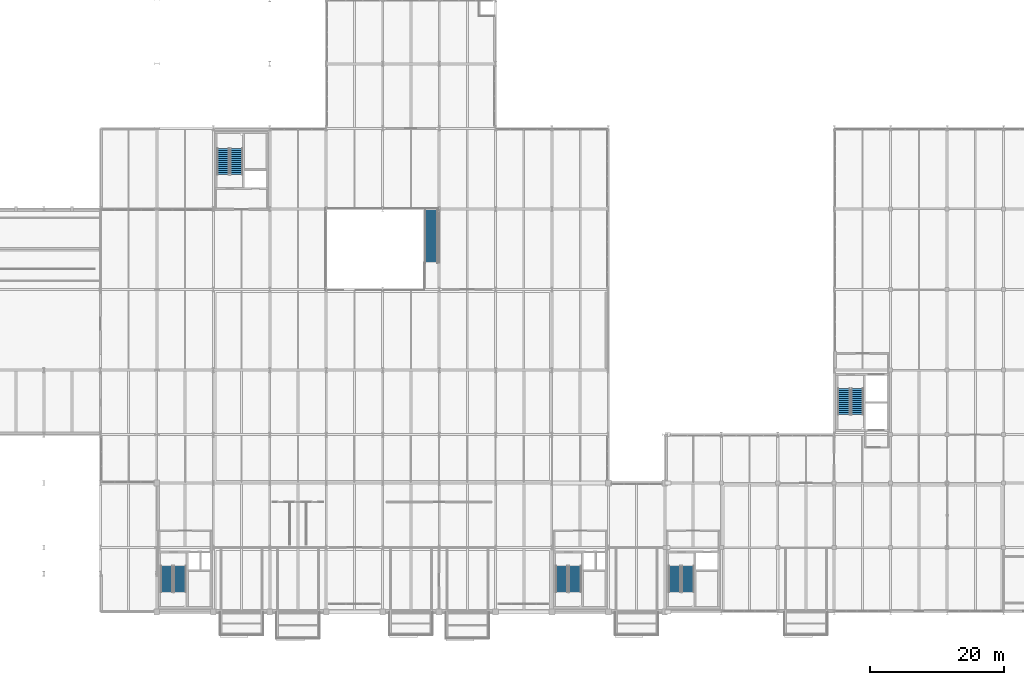
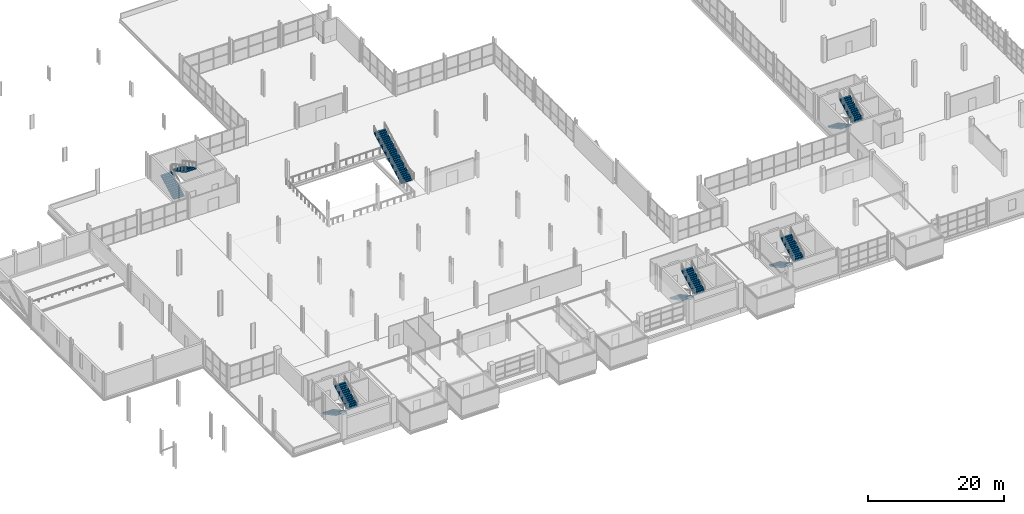
# One storey, part 104 of 113: 11 stair flights, 6 elements without a shape of their own.
"""IFC4 building model written with IfcOpenShell, lengths in metres."""

from ifc_helpers import new_model, si_unit, direction, frame, origin, place, context, subcontext, project, spatial, polyline, outline, extrude, material, type_object, element, aggregate, save


model = new_model("IFC4")

# Units and contexts
model_context = context("Model", 3, precision=1e-05, world=origin(), true_north=direction((0.0, 1.0)))
body_context = subcontext(model_context, "Body", "Model", "MODEL_VIEW")
ifc_project = project(units=[si_unit("LENGTHUNIT", "METRE"), si_unit("AREAUNIT", "SQUARE_METRE"), si_unit("VOLUMEUNIT", "CUBIC_METRE"), si_unit("PLANEANGLEUNIT", "RADIAN"), si_unit("MASSUNIT", "GRAM", prefix="KILO")], contexts=[model_context])

# Site, building, storey
site_placement = place(None, origin())
site = spatial("IfcSite", under=ifc_project, at=site_placement, CompositionType="ELEMENT")
building_placement = place(site_placement, origin())
building = spatial("IfcBuilding", under=site, at=building_placement, Name="Veltarok Museum of Natural Sciences", CompositionType="ELEMENT")
storey_placement = place(building_placement, frame((0.0, 0.0, 8.39990234375)))
storey = spatial("IfcBuildingStorey", under=building, at=storey_placement, Name="L01", CompositionType="ELEMENT", Elevation=8.39990234375)

# Stair, stair flight
ifc_material = material(Name="Precast concrete C40/50", Category="concrete")
stair_type_1 = type_object("IfcStairType", Name="Constructivist Atrium Straight Feature Stair H4500", PredefinedType="STRAIGHT_RUN_STAIR", material=ifc_material)
stair_1_placement = place(storey_placement, origin())
stair_1 = element("IfcStair", 1, at=stair_1_placement, inside=storey, type_object=stair_type_1, Name="Constructivist Atrium Feature Stair ST-ATR02", PredefinedType="STRAIGHT_RUN_STAIR")
stair_flight_type_1 = type_object("IfcStairFlightType", Name="Atrium Feature Stair Flight W1900", PredefinedType="STRAIGHT", material=ifc_material)
stair_flight_1_placement = place(storey_placement, frame((72.449951171875, 51.919921875, 0.0), z_axis=(0.0, 0.0, 1.0), x_axis=(0.0, 1.0, 0.0)))
stair_flight_1 = element("IfcStairFlight", 2, at=stair_flight_1_placement, type_object=stair_flight_type_1, Name="ST-ATR02 flight 1", NumberOfRisers=28, NumberOfTreads=27, PredefinedType="STRAIGHT", RiserHeight=0.160714, TreadLength=0.3, context=body_context, shape_type="SweptSolid", body=[
    extrude(outline(polyline([(0.0, 0.0), (0.0, 0.16064453125), (0.300048828125, 0.16064453125), (0.300048828125, 0.321533203125), (0.60009765625, 0.321533203125), (0.60009765625, 0.482177734375), (0.89990234375, 0.482177734375), (0.89990234375, 0.642822265625), (1.199951171875, 0.642822265625), (1.199951171875, 0.803466796875), (1.5, 0.803466796875), (1.5, 0.96435546875), (1.800048828125, 0.96435546875), (1.800048828125, 1.125), (2.10009765625, 1.125), (2.10009765625, 1.28564453125), (2.39990234375, 1.28564453125), (2.39990234375, 1.446533203125), (2.699951171875, 1.446533203125), (2.699951171875, 1.607177734375), (3.0, 1.607177734375), (3.0, 1.767822265625), (3.300048828125, 1.767822265625), (3.300048828125, 1.928466796875), (3.60009765625, 1.928466796875), (3.60009765625, 2.08935546875), (3.89990234375, 2.08935546875), (3.89990234375, 2.25), (4.199951171875, 2.25), (4.199951171875, 2.41064453125), (4.5, 2.41064453125), (4.5, 2.571533203125), (4.800048828125, 2.571533203125), (4.800048828125, 2.732177734375), (5.10009765625, 2.732177734375), (5.10009765625, 2.892822265625), (5.39990234375, 2.892822265625), (5.39990234375, 3.053466796875), (5.699951171875, 3.053466796875), (5.699951171875, 3.21435546875), (6.0, 3.21435546875), (6.0, 3.375), (6.300048828125, 3.375), (6.300048828125, 3.53564453125), (6.60009765625, 3.53564453125), (6.60009765625, 3.696533203125), (6.89990234375, 3.696533203125), (6.89990234375, 3.857177734375), (7.199951171875, 3.857177734375), (7.199951171875, 4.017822265625), (7.5, 4.017822265625), (7.5, 4.178466796875), (7.800048828125, 4.178466796875), (7.800048828125, 4.33935546875), (8.10009765625, 4.33935546875), (8.10009765625, 4.5), (8.10009765625, 4.112548828125), (0.42333984375, 0.0), (0.0, 0.0)])), frame((0.0, 0.949951171875, 0.0), z_axis=(0.0, -1.0, 0.0), x_axis=(1.0, 0.0, 0.0)), (0.0, 0.0, 1.0), 1.89990234375),
])
aggregate(stair_1, [stair_flight_1])

# Stair, stair flights
stair_type_2 = type_object("IfcStairType", Name="Protected Half-Turn Escape Stair H4500", PredefinedType="HALF_TURN_STAIR", material=ifc_material)
stair_2_placement = place(storey_placement, origin())
stair_2 = element("IfcStair", 3, at=stair_2_placement, inside=storey, type_object=stair_type_2, Name="Protected Escape Stair ST-01-L01", PredefinedType="HALF_TURN_STAIR")
stair_flight_type_2 = type_object("IfcStairFlightType", Name="Protected Escape Stair Flight W1820", PredefinedType="STRAIGHT", material=ifc_material)
stair_flight_2_placement = place(storey_placement, frame((33.06005859375, 6.89990234375, 0.0), z_axis=(0.0, 0.0, 1.0), x_axis=(0.0, -1.0, 0.0)))
stair_flight_2 = element("IfcStairFlight", 4, at=stair_flight_2_placement, type_object=stair_flight_type_2, Name="ST-01-L01 flight 1", NumberOfRisers=14, NumberOfTreads=13, PredefinedType="STRAIGHT", RiserHeight=0.160714, TreadLength=0.3, context=body_context, shape_type="SweptSolid", body=[
    extrude(outline(polyline([(0.0, 0.0), (0.0, 0.16064453125), (0.300048828125, 0.16064453125), (0.300048828125, 0.321533203125), (0.60009765625, 0.321533203125), (0.60009765625, 0.482177734375), (0.89990234375, 0.482177734375), (0.89990234375, 0.642822265625), (1.199951171875, 0.642822265625), (1.199951171875, 0.803466796875), (1.5, 0.803466796875), (1.5, 0.96435546875), (1.800048828125, 0.96435546875), (1.800048828125, 1.125), (2.10009765625, 1.125), (2.10009765625, 1.28564453125), (2.39990234375, 1.28564453125), (2.39990234375, 1.446533203125), (2.699951171875, 1.446533203125), (2.699951171875, 1.607177734375), (3.0, 1.607177734375), (3.0, 1.767822265625), (3.300048828125, 1.767822265625), (3.300048828125, 1.928466796875), (3.60009765625, 1.928466796875), (3.60009765625, 2.08935546875), (3.89990234375, 2.08935546875), (3.89990234375, 2.25), (3.89990234375, 1.88525390625), (0.381103515625, 0.0), (0.0, 0.0)])), frame((0.0, 0.91015625, 0.0), z_axis=(0.0, -1.0, 0.0), x_axis=(1.0, 0.0, 0.0)), (0.0, 0.0, 1.0), 1.820068359375),
])
stair_flight_3_placement = place(storey_placement, frame((35.0400390625, 3.0, 2.25), z_axis=(0.0, 0.0, 1.0), x_axis=(0.0, 1.0, 0.0)))
stair_flight_3 = element("IfcStairFlight", 5, at=stair_flight_3_placement, type_object=stair_flight_type_2, Name="ST-01-L01 flight 2", NumberOfRisers=14, NumberOfTreads=13, PredefinedType="STRAIGHT", RiserHeight=0.160714, TreadLength=0.3, context=body_context, shape_type="SweptSolid", body=[
    extrude(outline(polyline([(0.0, 0.0), (0.0, 0.16064453125), (0.300048828125, 0.16064453125), (0.300048828125, 0.321533203125), (0.60009765625, 0.321533203125), (0.60009765625, 0.482177734375), (0.89990234375, 0.482177734375), (0.89990234375, 0.642822265625), (1.199951171875, 0.642822265625), (1.199951171875, 0.803466796875), (1.5, 0.803466796875), (1.5, 0.96435546875), (1.800048828125, 0.96435546875), (1.800048828125, 1.125), (2.10009765625, 1.125), (2.10009765625, 1.28564453125), (2.39990234375, 1.28564453125), (2.39990234375, 1.446533203125), (2.699951171875, 1.446533203125), (2.699951171875, 1.607177734375), (3.0, 1.607177734375), (3.0, 1.767822265625), (3.300048828125, 1.767822265625), (3.300048828125, 1.928466796875), (3.60009765625, 1.928466796875), (3.60009765625, 2.08935546875), (3.89990234375, 2.08935546875), (3.89990234375, 2.25), (3.89990234375, 1.88525390625), (0.381103515625, 0.0), (0.0, 0.0)])), frame((0.0, 0.91015625, 0.0), z_axis=(0.0, -1.0, 0.0), x_axis=(1.0, 0.0, 0.0)), (0.0, 0.0, 1.0), 1.820068359375),
])
aggregate(stair_2, [stair_flight_2, stair_flight_3])

stair_3_placement = place(storey_placement, origin())
stair_3 = element("IfcStair", 6, at=stair_3_placement, inside=storey, type_object=stair_type_2, Name="Protected Escape Stair ST-02-L01", PredefinedType="HALF_TURN_STAIR")
stair_flight_4_placement = place(storey_placement, frame((91.860107421875, 6.89990234375, 0.0), z_axis=(0.0, 0.0, 1.0), x_axis=(0.0, -1.0, 0.0)))
stair_flight_4 = element("IfcStairFlight", 7, at=stair_flight_4_placement, type_object=stair_flight_type_2, Name="ST-02-L01 flight 1", NumberOfRisers=14, NumberOfTreads=13, PredefinedType="STRAIGHT", RiserHeight=0.160714, TreadLength=0.3, context=body_context, shape_type="SweptSolid", body=[
    extrude(outline(polyline([(0.0, 0.0), (0.0, 0.16064453125), (0.300048828125, 0.16064453125), (0.300048828125, 0.321533203125), (0.60009765625, 0.321533203125), (0.60009765625, 0.482177734375), (0.89990234375, 0.482177734375), (0.89990234375, 0.642822265625), (1.199951171875, 0.642822265625), (1.199951171875, 0.803466796875), (1.5, 0.803466796875), (1.5, 0.96435546875), (1.800048828125, 0.96435546875), (1.800048828125, 1.125), (2.10009765625, 1.125), (2.10009765625, 1.28564453125), (2.39990234375, 1.28564453125), (2.39990234375, 1.446533203125), (2.699951171875, 1.446533203125), (2.699951171875, 1.607177734375), (3.0, 1.607177734375), (3.0, 1.767822265625), (3.300048828125, 1.767822265625), (3.300048828125, 1.928466796875), (3.60009765625, 1.928466796875), (3.60009765625, 2.08935546875), (3.89990234375, 2.08935546875), (3.89990234375, 2.25), (3.89990234375, 1.88525390625), (0.381103515625, 0.0), (0.0, 0.0)])), frame((0.0, 0.91015625, 0.0), z_axis=(0.0, -1.0, 0.0), x_axis=(1.0, 0.0, 0.0)), (0.0, 0.0, 1.0), 1.820068359375),
])
stair_flight_5_placement = place(storey_placement, frame((93.840087890625, 3.0, 2.25), z_axis=(0.0, 0.0, 1.0), x_axis=(0.0, 1.0, 0.0)))
stair_flight_5 = element("IfcStairFlight", 8, at=stair_flight_5_placement, type_object=stair_flight_type_2, Name="ST-02-L01 flight 2", NumberOfRisers=14, NumberOfTreads=13, PredefinedType="STRAIGHT", RiserHeight=0.160714, TreadLength=0.3, context=body_context, shape_type="SweptSolid", body=[
    extrude(outline(polyline([(0.0, 0.0), (0.0, 0.16064453125), (0.300048828125, 0.16064453125), (0.300048828125, 0.321533203125), (0.60009765625, 0.321533203125), (0.60009765625, 0.482177734375), (0.89990234375, 0.482177734375), (0.89990234375, 0.642822265625), (1.199951171875, 0.642822265625), (1.199951171875, 0.803466796875), (1.5, 0.803466796875), (1.5, 0.96435546875), (1.800048828125, 0.96435546875), (1.800048828125, 1.125), (2.10009765625, 1.125), (2.10009765625, 1.28564453125), (2.39990234375, 1.28564453125), (2.39990234375, 1.446533203125), (2.699951171875, 1.446533203125), (2.699951171875, 1.607177734375), (3.0, 1.607177734375), (3.0, 1.767822265625), (3.300048828125, 1.767822265625), (3.300048828125, 1.928466796875), (3.60009765625, 1.928466796875), (3.60009765625, 2.08935546875), (3.89990234375, 2.08935546875), (3.89990234375, 2.25), (3.89990234375, 1.88525390625), (0.381103515625, 0.0), (0.0, 0.0)])), frame((0.0, 0.91015625, 0.0), z_axis=(0.0, -1.0, 0.0), x_axis=(1.0, 0.0, 0.0)), (0.0, 0.0, 1.0), 1.820068359375),
])
aggregate(stair_3, [stair_flight_4, stair_flight_5])

stair_4_placement = place(storey_placement, origin())
stair_4 = element("IfcStair", 9, at=stair_4_placement, inside=storey, type_object=stair_type_2, Name="Protected Escape Stair ST-03-L01", PredefinedType="HALF_TURN_STAIR")
stair_flight_6_placement = place(storey_placement, frame((41.4599609375, 65.10009765625, 0.0), z_axis=(0.0, 0.0, 1.0), x_axis=(0.0, 1.0, 0.0)))
stair_flight_6 = element("IfcStairFlight", 10, at=stair_flight_6_placement, type_object=stair_flight_type_2, Name="ST-03-L01 flight 1", NumberOfRisers=14, NumberOfTreads=13, PredefinedType="STRAIGHT", RiserHeight=0.160714, TreadLength=0.3, context=body_context, shape_type="SweptSolid", body=[
    extrude(outline(polyline([(0.0, 0.0), (0.0, 0.16064453125), (0.300048828125, 0.16064453125), (0.300048828125, 0.321533203125), (0.60009765625, 0.321533203125), (0.60009765625, 0.482177734375), (0.89990234375, 0.482177734375), (0.89990234375, 0.642822265625), (1.199951171875, 0.642822265625), (1.199951171875, 0.803466796875), (1.5, 0.803466796875), (1.5, 0.96435546875), (1.800048828125, 0.96435546875), (1.800048828125, 1.125), (2.10009765625, 1.125), (2.10009765625, 1.28564453125), (2.39990234375, 1.28564453125), (2.39990234375, 1.446533203125), (2.699951171875, 1.446533203125), (2.699951171875, 1.607177734375), (3.0, 1.607177734375), (3.0, 1.767822265625), (3.300048828125, 1.767822265625), (3.300048828125, 1.928466796875), (3.60009765625, 1.928466796875), (3.60009765625, 2.08935546875), (3.89990234375, 2.08935546875), (3.89990234375, 2.25), (3.89990234375, 1.88525390625), (0.381103515625, 0.0), (0.0, 0.0)])), frame((0.0, 0.91015625, 0.0), z_axis=(0.0, -1.0, 0.0), x_axis=(1.0, 0.0, 0.0)), (0.0, 0.0, 1.0), 1.820068359375),
])
stair_flight_7_placement = place(storey_placement, frame((43.43994140625, 69.0, 2.25), z_axis=(0.0, 0.0, 1.0), x_axis=(0.0, -1.0, 0.0)))
stair_flight_7 = element("IfcStairFlight", 11, at=stair_flight_7_placement, type_object=stair_flight_type_2, Name="ST-03-L01 flight 2", NumberOfRisers=14, NumberOfTreads=13, PredefinedType="STRAIGHT", RiserHeight=0.160714, TreadLength=0.3, context=body_context, shape_type="SweptSolid", body=[
    extrude(outline(polyline([(0.0, 0.0), (0.0, 0.16064453125), (0.300048828125, 0.16064453125), (0.300048828125, 0.321533203125), (0.60009765625, 0.321533203125), (0.60009765625, 0.482177734375), (0.89990234375, 0.482177734375), (0.89990234375, 0.642822265625), (1.199951171875, 0.642822265625), (1.199951171875, 0.803466796875), (1.5, 0.803466796875), (1.5, 0.96435546875), (1.800048828125, 0.96435546875), (1.800048828125, 1.125), (2.10009765625, 1.125), (2.10009765625, 1.28564453125), (2.39990234375, 1.28564453125), (2.39990234375, 1.446533203125), (2.699951171875, 1.446533203125), (2.699951171875, 1.607177734375), (3.0, 1.607177734375), (3.0, 1.767822265625), (3.300048828125, 1.767822265625), (3.300048828125, 1.928466796875), (3.60009765625, 1.928466796875), (3.60009765625, 2.08935546875), (3.89990234375, 2.08935546875), (3.89990234375, 2.25), (3.89990234375, 1.88525390625), (0.381103515625, 0.0), (0.0, 0.0)])), frame((0.0, 0.91015625, 0.0), z_axis=(0.0, -1.0, 0.0), x_axis=(1.0, 0.0, 0.0)), (0.0, 0.0, 1.0), 1.820068359375),
])
aggregate(stair_4, [stair_flight_6, stair_flight_7])

stair_5_placement = place(storey_placement, origin())
stair_5 = element("IfcStair", 12, at=stair_5_placement, inside=storey, type_object=stair_type_2, Name="Protected Escape Stair ST-04-L01", PredefinedType="HALF_TURN_STAIR")
stair_flight_8_placement = place(storey_placement, frame((108.659912109375, 6.89990234375, 0.0), z_axis=(0.0, 0.0, 1.0), x_axis=(0.0, -1.0, 0.0)))
stair_flight_8 = element("IfcStairFlight", 13, at=stair_flight_8_placement, type_object=stair_flight_type_2, Name="ST-04-L01 flight 1", NumberOfRisers=14, NumberOfTreads=13, PredefinedType="STRAIGHT", RiserHeight=0.160714, TreadLength=0.3, context=body_context, shape_type="SweptSolid", body=[
    extrude(outline(polyline([(0.0, 0.0), (0.0, 0.16064453125), (0.300048828125, 0.16064453125), (0.300048828125, 0.321533203125), (0.60009765625, 0.321533203125), (0.60009765625, 0.482177734375), (0.89990234375, 0.482177734375), (0.89990234375, 0.642822265625), (1.199951171875, 0.642822265625), (1.199951171875, 0.803466796875), (1.5, 0.803466796875), (1.5, 0.96435546875), (1.800048828125, 0.96435546875), (1.800048828125, 1.125), (2.10009765625, 1.125), (2.10009765625, 1.28564453125), (2.39990234375, 1.28564453125), (2.39990234375, 1.446533203125), (2.699951171875, 1.446533203125), (2.699951171875, 1.607177734375), (3.0, 1.607177734375), (3.0, 1.767822265625), (3.300048828125, 1.767822265625), (3.300048828125, 1.928466796875), (3.60009765625, 1.928466796875), (3.60009765625, 2.08935546875), (3.89990234375, 2.08935546875), (3.89990234375, 2.25), (3.89990234375, 1.88525390625), (0.381103515625, 0.0), (0.0, 0.0)])), frame((0.0, 0.91015625, 0.0), z_axis=(0.0, -1.0, 0.0), x_axis=(1.0, 0.0, 0.0)), (0.0, 0.0, 1.0), 1.820068359375),
])
stair_flight_9_placement = place(storey_placement, frame((110.639892578125, 3.0, 2.25), z_axis=(0.0, 0.0, 1.0), x_axis=(0.0, 1.0, 0.0)))
stair_flight_9 = element("IfcStairFlight", 14, at=stair_flight_9_placement, type_object=stair_flight_type_2, Name="ST-04-L01 flight 2", NumberOfRisers=14, NumberOfTreads=13, PredefinedType="STRAIGHT", RiserHeight=0.160714, TreadLength=0.3, context=body_context, shape_type="SweptSolid", body=[
    extrude(outline(polyline([(0.0, 0.0), (0.0, 0.16064453125), (0.300048828125, 0.16064453125), (0.300048828125, 0.321533203125), (0.60009765625, 0.321533203125), (0.60009765625, 0.482177734375), (0.89990234375, 0.482177734375), (0.89990234375, 0.642822265625), (1.199951171875, 0.642822265625), (1.199951171875, 0.803466796875), (1.5, 0.803466796875), (1.5, 0.96435546875), (1.800048828125, 0.96435546875), (1.800048828125, 1.125), (2.10009765625, 1.125), (2.10009765625, 1.28564453125), (2.39990234375, 1.28564453125), (2.39990234375, 1.446533203125), (2.699951171875, 1.446533203125), (2.699951171875, 1.607177734375), (3.0, 1.607177734375), (3.0, 1.767822265625), (3.300048828125, 1.767822265625), (3.300048828125, 1.928466796875), (3.60009765625, 1.928466796875), (3.60009765625, 2.08935546875), (3.89990234375, 2.08935546875), (3.89990234375, 2.25), (3.89990234375, 1.88525390625), (0.381103515625, 0.0), (0.0, 0.0)])), frame((0.0, 0.91015625, 0.0), z_axis=(0.0, -1.0, 0.0), x_axis=(1.0, 0.0, 0.0)), (0.0, 0.0, 1.0), 1.820068359375),
])
aggregate(stair_5, [stair_flight_8, stair_flight_9])

stair_6_placement = place(storey_placement, origin())
stair_6 = element("IfcStair", 15, at=stair_6_placement, inside=storey, type_object=stair_type_2, Name="Protected Escape Stair ST-05-L01", PredefinedType="HALF_TURN_STAIR")
stair_flight_10_placement = place(storey_placement, frame((133.860107421875, 33.300048828125, 0.0), z_axis=(0.0, 0.0, 1.0), x_axis=(0.0, -1.0, 0.0)))
stair_flight_10 = element("IfcStairFlight", 16, at=stair_flight_10_placement, type_object=stair_flight_type_2, Name="ST-05-L01 flight 1", NumberOfRisers=14, NumberOfTreads=13, PredefinedType="STRAIGHT", RiserHeight=0.160714, TreadLength=0.3, context=body_context, shape_type="SweptSolid", body=[
    extrude(outline(polyline([(0.0, 0.0), (0.0, 0.16064453125), (0.300048828125, 0.16064453125), (0.300048828125, 0.321533203125), (0.60009765625, 0.321533203125), (0.60009765625, 0.482177734375), (0.89990234375, 0.482177734375), (0.89990234375, 0.642822265625), (1.199951171875, 0.642822265625), (1.199951171875, 0.803466796875), (1.5, 0.803466796875), (1.5, 0.96435546875), (1.800048828125, 0.96435546875), (1.800048828125, 1.125), (2.10009765625, 1.125), (2.10009765625, 1.28564453125), (2.39990234375, 1.28564453125), (2.39990234375, 1.446533203125), (2.699951171875, 1.446533203125), (2.699951171875, 1.607177734375), (3.0, 1.607177734375), (3.0, 1.767822265625), (3.300048828125, 1.767822265625), (3.300048828125, 1.928466796875), (3.60009765625, 1.928466796875), (3.60009765625, 2.08935546875), (3.89990234375, 2.08935546875), (3.89990234375, 2.25), (3.89990234375, 1.88525390625), (0.381103515625, 0.0), (0.0, 0.0)])), frame((0.0, 0.91015625, 0.0), z_axis=(0.0, -1.0, 0.0), x_axis=(1.0, 0.0, 0.0)), (0.0, 0.0, 1.0), 1.820068359375),
])
stair_flight_11_placement = place(storey_placement, frame((135.840087890625, 29.39990234375, 2.25), z_axis=(0.0, 0.0, 1.0), x_axis=(0.0, 1.0, 0.0)))
stair_flight_11 = element("IfcStairFlight", 17, at=stair_flight_11_placement, type_object=stair_flight_type_2, Name="ST-05-L01 flight 2", NumberOfRisers=14, NumberOfTreads=13, PredefinedType="STRAIGHT", RiserHeight=0.160714, TreadLength=0.3, context=body_context, shape_type="SweptSolid", body=[
    extrude(outline(polyline([(0.0, 0.0), (0.0, 0.16064453125), (0.300048828125, 0.16064453125), (0.300048828125, 0.321533203125), (0.60009765625, 0.321533203125), (0.60009765625, 0.482177734375), (0.89990234375, 0.482177734375), (0.89990234375, 0.642822265625), (1.199951171875, 0.642822265625), (1.199951171875, 0.803466796875), (1.5, 0.803466796875), (1.5, 0.96435546875), (1.800048828125, 0.96435546875), (1.800048828125, 1.125), (2.10009765625, 1.125), (2.10009765625, 1.28564453125), (2.39990234375, 1.28564453125), (2.39990234375, 1.446533203125), (2.699951171875, 1.446533203125), (2.699951171875, 1.607177734375), (3.0, 1.607177734375), (3.0, 1.767822265625), (3.300048828125, 1.767822265625), (3.300048828125, 1.928466796875), (3.60009765625, 1.928466796875), (3.60009765625, 2.08935546875), (3.89990234375, 2.08935546875), (3.89990234375, 2.25), (3.89990234375, 1.88525390625), (0.381103515625, 0.0), (0.0, 0.0)])), frame((0.0, 0.91015625, 0.0), z_axis=(0.0, -1.0, 0.0), x_axis=(1.0, 0.0, 0.0)), (0.0, 0.0, 1.0), 1.820068359375),
])
aggregate(stair_6, [stair_flight_10, stair_flight_11])

save(model, "model.ifc")
